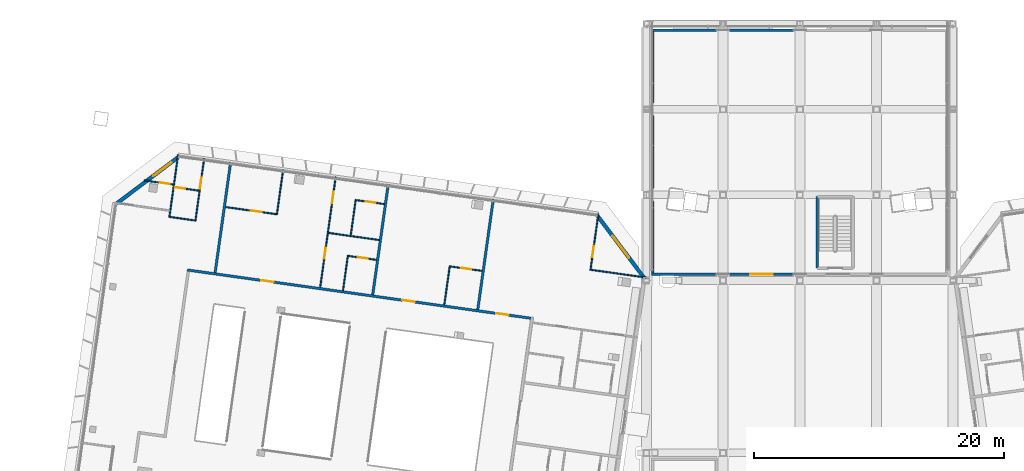
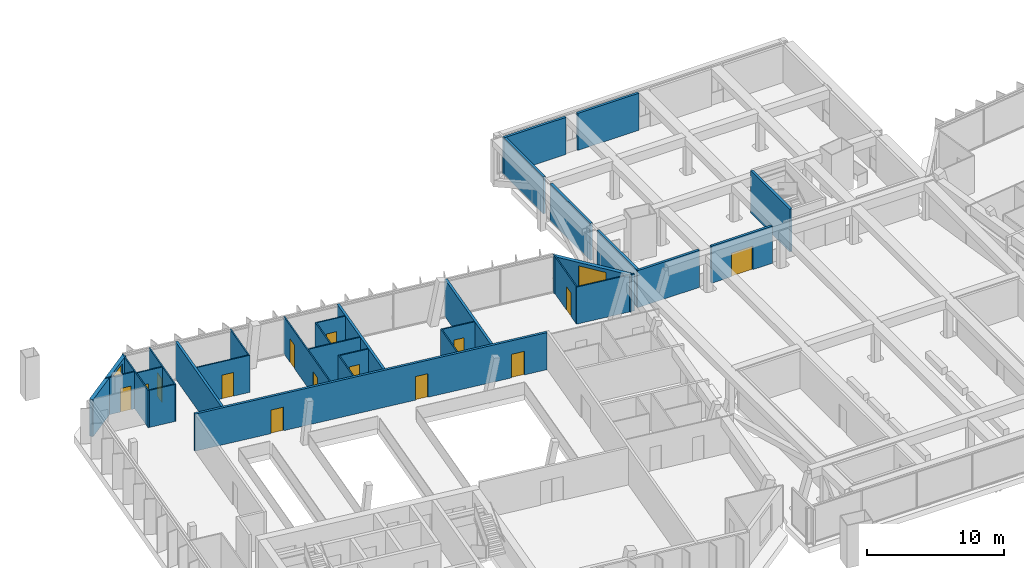
# One storey, part 17 of 25: 31 walls, 14 doors, 2 windows, 16 openings.
"""IFC4 building model written with IfcOpenShell, lengths in metres."""

from ifc_helpers import new_model, si_unit, direction, frame, frame_2d, origin, place, context, subcontext, project, spatial, rectangle, extrude, material, layer, layer_set, type_object, element, fill, save


model = new_model("IFC4")

# Units and contexts
model_context = context("Model", 3, precision=1e-05, world=origin(), true_north=direction((0.0, 1.0)))
body_context = subcontext(model_context, "Body", "Model", "MODEL_VIEW")
ifc_project = project(units=[si_unit("LENGTHUNIT", "METRE"), si_unit("AREAUNIT", "SQUARE_METRE"), si_unit("VOLUMEUNIT", "CUBIC_METRE"), si_unit("PLANEANGLEUNIT", "RADIAN"), si_unit("MASSUNIT", "GRAM", prefix="KILO")], contexts=[model_context])

# Site, building, storey
site_placement = place(None, origin())
site = spatial("IfcSite", under=ifc_project, at=site_placement, CompositionType="ELEMENT")
building_placement = place(site_placement, origin())
building = spatial("IfcBuilding", under=site, at=building_placement, Name="Mirante Cascada Hotel Towers", CompositionType="ELEMENT")
storey_placement = place(building_placement, frame((0.0, 0.0, 266.0)))
storey = spatial("IfcBuildingStorey", under=building, at=storey_placement, Name="L64", CompositionType="ELEMENT", Elevation=266.0)

# Wall, openings, doors
ifc_material_1 = material(Name="Fire-rated plasterboard on metal studs")
ifc_layer_1 = layer(ifc_material_1, 0.2)
ifc_layer_set_1 = layer_set([ifc_layer_1], Name="Compartment wall 200 EI 120")
wall_type_1 = type_object("IfcWallType", Name="Compartment wall 200 EI 120", PredefinedType="PARTITIONING", material=ifc_layer_set_1)
wall_1_placement = place(storey_placement, frame((-48.9088, 10.7557, 0.0), z_axis=(0.0, 0.0, 1.0), x_axis=(0.9902681, -0.1391729, 0.0)))
wall_1 = element("IfcWall", 1, at=wall_1_placement, inside=storey, type_object=wall_type_1, Name="Wall 1-L64-14", PredefinedType="PARTITIONING", context=body_context, shape_type="SweptSolid", body=[
    extrude(rectangle(XDim=27.7001, YDim=0.2, at=frame_2d((13.85, 0.0))), origin(), (0.0, 0.0, 1.0), 3.3),
])
opening_1_placement = place(wall_1_placement, frame((24.907, 0.0, 0.0)))
opening_1 = element("IfcOpeningElement", 2, at=opening_1_placement, cuts=wall_1, Name="Opening D1-L64-06", PredefinedType="OPENING", context=body_context, shape_type="SweptSolid", body=[
    extrude(rectangle(XDim=1.0, YDim=2.1, at=frame_2d((0.5, 1.05))), frame((0.0, 0.1, 0.0), z_axis=(0.0, -1.0, 0.0), x_axis=(1.0, 0.0, 0.0)), (0.0, 0.0, 1.0), 0.2),
])
opening_2_placement = place(wall_1_placement, frame((17.3283, 0.0, 0.0)))
opening_2 = element("IfcOpeningElement", 3, at=opening_2_placement, cuts=wall_1, Name="Opening D1-L64-07", PredefinedType="OPENING", context=body_context, shape_type="SweptSolid", body=[
    extrude(rectangle(XDim=1.0, YDim=2.1, at=frame_2d((0.5, 1.05))), frame((0.0, 0.1, 0.0), z_axis=(0.0, -1.0, 0.0), x_axis=(1.0, 0.0, 0.0)), (0.0, 0.0, 1.0), 0.2),
])
opening_3_placement = place(wall_1_placement, frame((5.9714, 0.0, 0.0)))
opening_3 = element("IfcOpeningElement", 4, at=opening_3_placement, cuts=wall_1, Name="Opening D1-L64-08", PredefinedType="OPENING", context=body_context, shape_type="SweptSolid", body=[
    extrude(rectangle(XDim=1.0, YDim=2.1, at=frame_2d((0.5, 1.05))), frame((0.0, 0.1, 0.0), z_axis=(0.0, -1.0, 0.0), x_axis=(1.0, 0.0, 0.0)), (0.0, 0.0, 1.0), 0.2),
])
ifc_material_2 = material(Name="Fire-rated timber door leaf", Category="wood")
door_type_1 = type_object("IfcDoorType", Name="Entrance door DG1 1000x2100 EI 60", OperationType="SINGLE_SWING_LEFT", PredefinedType="DOOR", material=ifc_material_2)
door_1_placement = place(opening_1_placement, origin())
door_1 = element("IfcDoor", 5, at=door_1_placement, inside=storey, type_object=door_type_1, Name="Door D1-L64-06", OperationType="SINGLE_SWING_LEFT", OverallHeight=2.1, OverallWidth=1.0, PredefinedType="DOOR", context=body_context, shape_type="SweptSolid", body=[
    extrude(rectangle(XDim=1.0, YDim=2.1, at=frame_2d((0.5, 1.05))), frame((0.0, 0.025, 0.0), z_axis=(0.0, -1.0, 0.0), x_axis=(1.0, 0.0, 0.0)), (0.0, 0.0, 1.0), 0.05),
])
fill(opening_1, door_1)
door_2_placement = place(opening_2_placement, origin())
door_2 = element("IfcDoor", 6, at=door_2_placement, inside=storey, type_object=door_type_1, Name="Door D1-L64-07", OperationType="SINGLE_SWING_LEFT", OverallHeight=2.1, OverallWidth=1.0, PredefinedType="DOOR", context=body_context, shape_type="SweptSolid", body=[
    extrude(rectangle(XDim=1.0, YDim=2.1, at=frame_2d((0.5, 1.05))), frame((0.0, 0.025, 0.0), z_axis=(0.0, -1.0, 0.0), x_axis=(1.0, 0.0, 0.0)), (0.0, 0.0, 1.0), 0.05),
])
fill(opening_2, door_2)
door_3_placement = place(opening_3_placement, origin())
door_3 = element("IfcDoor", 7, at=door_3_placement, inside=storey, type_object=door_type_1, Name="Door D1-L64-08", OperationType="SINGLE_SWING_LEFT", OverallHeight=2.1, OverallWidth=1.0, PredefinedType="DOOR", context=body_context, shape_type="SweptSolid", body=[
    extrude(rectangle(XDim=1.0, YDim=2.1, at=frame_2d((0.5, 1.05))), frame((0.0, 0.025, 0.0), z_axis=(0.0, -1.0, 0.0), x_axis=(1.0, 0.0, 0.0)), (0.0, 0.0, 1.0), 0.05),
])
fill(opening_3, door_3)

# Walls
for number, where, z_axis, x_axis, name in (
    (8, (-24.4702, 16.4096, 0.0), (0.0, 0.0, 1.0), (-0.1391684, -0.9902687, 0.0), "Wall 1-L64-34"),
    (9, (-32.859, 17.5885, 0.0), (0.0, 0.0, 1.0), (-0.1391794, -0.9902672, 0.0), "Wall 1-L64-36"),
    (10, (-46.6809, 10.5436, 0.0), (0.0, 0.0, 1.0), (0.1391684, 0.9902687, 0.0), "Wall 1-L64-41"),
):
    element("IfcWall", number, at=place(storey_placement, frame(where, z_axis=z_axis, x_axis=x_axis)), inside=storey, type_object=wall_type_1, Name=name, PredefinedType="PARTITIONING", context=body_context, shape_type="SweptSolid", body=[
        extrude(rectangle(XDim=8.9, YDim=0.2, at=frame_2d((4.45, 0.0))), origin(), (0.0, 0.0, 1.0), 3.3),
    ])
ifc_material_3 = material(Name="Masonry block", Category="masonry")
ifc_layer_2 = layer(ifc_material_3, 0.2)
ifc_layer_set_2 = layer_set([ifc_layer_2], Name="Deck room wall 200 block EI 120")
wall_type_2 = type_object("IfcWallType", Name="Deck room wall 200 block EI 120", PredefinedType="PARTITIONING", material=ifc_layer_set_2)
for number, where, z_axis, x_axis, name in (
    (11, (-11.85, 10.41, 0.0), (0.0, 0.0, 1.0), (1.0, 0.0, 0.0), "Sky park fire wall L64 W17"),
    (12, (-11.85, 29.91, 0.0), (0.0, 0.0, 1.0), (1.0, 0.0, 0.0), "Sky park fire wall L64 W18"),
):
    element("IfcWall", number, at=place(storey_placement, frame(where, z_axis=z_axis, x_axis=x_axis)), inside=storey, type_object=wall_type_2, Name=name, PredefinedType="PARTITIONING", context=body_context, shape_type="SweptSolid", body=[
        extrude(rectangle(XDim=5.22, YDim=0.2, at=frame_2d((2.61, 0.0))), origin(), (0.0, 0.0, 1.0), 3.3),
    ])

# Wall, opening, door
wall_2_placement = place(storey_placement, frame((-5.63, 10.41, 0.0), z_axis=(0.0, 0.0, 1.0), x_axis=(1.0, 0.0, 0.0)))
wall_2 = element("IfcWall", 13, at=wall_2_placement, inside=storey, type_object=wall_type_2, Name="Sky park fire wall L64 W19", PredefinedType="PARTITIONING", context=body_context, shape_type="SweptSolid", body=[
    extrude(rectangle(XDim=5.13, YDim=0.2, at=frame_2d((2.565, 0.0))), origin(), (0.0, 0.0, 1.0), 3.3),
])
opening_4_placement = place(wall_2_placement, frame((1.665, 0.0, 0.0)))
opening_4 = element("IfcOpeningElement", 14, at=opening_4_placement, cuts=wall_2, Name="Opening DD-64-05", PredefinedType="OPENING", context=body_context, shape_type="SweptSolid", body=[
    extrude(rectangle(XDim=1.8, YDim=2.1, at=frame_2d((0.9, 1.05))), frame((0.0, 0.1, 0.0), z_axis=(0.0, -1.0, 0.0), x_axis=(1.0, 0.0, 0.0)), (0.0, 0.0, 1.0), 0.2),
])
ifc_material_4 = material(Name="Hollow metal fire door leaf")
door_type_2 = type_object("IfcDoorType", Name="Double fire door 1800x2100 FD60 self-closing", OperationType="DOUBLE_DOOR_SINGLE_SWING", PredefinedType="DOOR", material=ifc_material_4)
door_4_placement = place(opening_4_placement, frame((1.8, 0.0, 0.0), z_axis=(0.0, 0.0, 1.0), x_axis=(-1.0, 0.0, 0.0)))
door_4 = element("IfcDoor", 15, at=door_4_placement, inside=storey, type_object=door_type_2, Name="Fire door sky park L64 d5", OperationType="DOUBLE_DOOR_SINGLE_SWING", OverallHeight=2.1, OverallWidth=1.8, PredefinedType="DOOR", context=body_context, shape_type="SweptSolid", body=[
    extrude(rectangle(XDim=0.895, YDim=2.1, at=frame_2d((0.4475, 1.05))), frame((0.0, 0.025, 0.0), z_axis=(0.0, -1.0, 0.0), x_axis=(1.0, 0.0, 0.0)), (0.0, 0.0, 1.0), 0.05),
    extrude(rectangle(XDim=0.895, YDim=2.1, at=frame_2d((1.3525, 1.05))), frame((0.0, 0.025, 0.0), z_axis=(0.0, -1.0, 0.0), x_axis=(1.0, 0.0, 0.0)), (0.0, 0.0, 1.0), 0.05),
])
fill(opening_4, door_4)

# Walls
wall_3_placement = place(storey_placement, frame((-5.63, 29.91, 0.0), z_axis=(0.0, 0.0, 1.0), x_axis=(1.0, 0.0, 0.0)))
element("IfcWall", 16, at=wall_3_placement, inside=storey, type_object=wall_type_2, Name="Sky park fire wall L64 W20", PredefinedType="PARTITIONING", context=body_context, shape_type="SweptSolid", body=[
    extrude(rectangle(XDim=5.13, YDim=0.2, at=frame_2d((2.565, 0.0))), origin(), (0.0, 0.0, 1.0), 3.3),
])
wall_4_placement = place(storey_placement, frame((-11.75, 10.51, 0.0), z_axis=(0.0, 0.0, 1.0), x_axis=(0.0, 1.0, 0.0)))
element("IfcWall", 17, at=wall_4_placement, inside=storey, type_object=wall_type_2, Name="Sky park fire wall L64 W25", PredefinedType="PARTITIONING", context=body_context, shape_type="SweptSolid", body=[
    extrude(rectangle(XDim=5.74, YDim=0.2, at=frame_2d((2.87, 0.0))), origin(), (0.0, 0.0, 1.0), 3.3),
])
wall_5_placement = place(storey_placement, frame((-11.75, 17.25, 0.0), z_axis=(0.0, 0.0, 1.0), x_axis=(0.0, 1.0, 0.0)))
element("IfcWall", 18, at=wall_5_placement, inside=storey, type_object=wall_type_2, Name="Sky park fire wall L64 W27", PredefinedType="PARTITIONING", context=body_context, shape_type="SweptSolid", body=[
    extrude(rectangle(XDim=5.83, YDim=0.2, at=frame_2d((2.915, 0.0))), origin(), (0.0, 0.0, 1.0), 3.3),
])
wall_6_placement = place(storey_placement, frame((-11.75, 24.08, 0.0), z_axis=(0.0, 0.0, 1.0), x_axis=(0.0, 1.0, 0.0)))
element("IfcWall", 19, at=wall_6_placement, inside=storey, type_object=wall_type_2, Name="Sky park fire wall L64 W29", PredefinedType="PARTITIONING", context=body_context, shape_type="SweptSolid", body=[
    extrude(rectangle(XDim=5.73, YDim=0.2, at=frame_2d((2.865, 0.0))), origin(), (0.0, 0.0, 1.0), 3.3),
])

# Wall, opening, door
ifc_material_5 = material(Name="Plasterboard on metal studs")
ifc_layer_3 = layer(ifc_material_5, 0.1)
ifc_layer_set_3 = layer_set([ifc_layer_3], Name="Partition 100")
wall_type_3 = type_object("IfcWallType", Name="Partition 100", PredefinedType="PARTITIONING", material=ifc_layer_set_3)
wall_7_placement = place(storey_placement, frame((-33.807, 11.5618, 0.0), z_axis=(0.0, 0.0, 1.0), x_axis=(-0.9902643, 0.1391997, 0.0)))
wall_7 = element("IfcWall", 20, at=wall_7_placement, inside=storey, type_object=wall_type_3, Name="Wall 1-L64-15", PredefinedType="PARTITIONING", context=body_context, shape_type="SweptSolid", body=[
    extrude(rectangle(XDim=2.25, YDim=0.1, at=frame_2d((1.125, 0.0))), origin(), (0.0, 0.0, 1.0), 3.3),
])
opening_5_placement = place(wall_7_placement, frame((0.7, 0.0, 0.0)))
opening_5 = element("IfcOpeningElement", 21, at=opening_5_placement, cuts=wall_7, Name="Opening D1-L64-09", PredefinedType="OPENING", context=body_context, shape_type="SweptSolid", body=[
    extrude(rectangle(XDim=0.8, YDim=2.1, at=frame_2d((0.4, 1.05))), frame((0.0, 0.05, 0.0), z_axis=(0.0, -1.0, 0.0), x_axis=(1.0, 0.0, 0.0)), (0.0, 0.0, 1.0), 0.1),
])
ifc_material_6 = material(Name="Timber door leaf", Category="wood")
door_type_3 = type_object("IfcDoorType", Name="Bathroom door DG4 800x2100", OperationType="SINGLE_SWING_LEFT", PredefinedType="DOOR", material=ifc_material_6)
door_5_placement = place(opening_5_placement, origin())
door_5 = element("IfcDoor", 22, at=door_5_placement, inside=storey, type_object=door_type_3, Name="Door D1-L64-09", OperationType="SINGLE_SWING_LEFT", OverallHeight=2.1, OverallWidth=0.8, PredefinedType="DOOR", context=body_context, shape_type="SweptSolid", body=[
    extrude(rectangle(XDim=0.8, YDim=2.1, at=frame_2d((0.4, 1.05))), frame((0.0, 0.025, 0.0), z_axis=(0.0, -1.0, 0.0), x_axis=(1.0, 0.0, 0.0)), (0.0, 0.0, 1.0), 0.05),
])
fill(opening_5, door_5)

wall_8_placement = place(storey_placement, frame((-27.9016, 11.0348, 0.0), z_axis=(0.0, 0.0, 1.0), x_axis=(0.9902677, -0.1391755, 0.0)))
wall_8 = element("IfcWall", 23, at=wall_8_placement, inside=storey, type_object=wall_type_3, Name="Wall 1-L64-16", PredefinedType="PARTITIONING", context=body_context, shape_type="SweptSolid", body=[
    extrude(rectangle(XDim=2.55, YDim=0.1, at=frame_2d((1.275, 0.0))), origin(), (0.0, 0.0, 1.0), 3.3),
])
opening_6_placement = place(wall_8_placement, frame((0.9, 0.0, 0.0)))
opening_6 = element("IfcOpeningElement", 24, at=opening_6_placement, cuts=wall_8, Name="Opening D1-L64-10", PredefinedType="OPENING", context=body_context, shape_type="SweptSolid", body=[
    extrude(rectangle(XDim=0.8, YDim=2.1, at=frame_2d((0.4, 1.05))), frame((0.0, 0.05, 0.0), z_axis=(0.0, -1.0, 0.0), x_axis=(1.0, 0.0, 0.0)), (0.0, 0.0, 1.0), 0.1),
])
door_6_placement = place(opening_6_placement, origin())
door_6 = element("IfcDoor", 25, at=door_6_placement, inside=storey, type_object=door_type_3, Name="Door D1-L64-10", OperationType="SINGLE_SWING_LEFT", OverallHeight=2.1, OverallWidth=0.8, PredefinedType="DOOR", context=body_context, shape_type="SweptSolid", body=[
    extrude(rectangle(XDim=0.8, YDim=2.1, at=frame_2d((0.4, 1.05))), frame((0.0, 0.025, 0.0), z_axis=(0.0, -1.0, 0.0), x_axis=(1.0, 0.0, 0.0)), (0.0, 0.0, 1.0), 0.05),
])
fill(opening_6, door_6)

# Walls
wall_9_placement = place(storey_placement, frame((-48.3026, 14.7098, 0.0), z_axis=(0.0, 0.0, 1.0), x_axis=(-0.990264, 0.139202, 0.0)))
element("IfcWall", 26, at=wall_9_placement, inside=storey, type_object=wall_type_3, Name="Wall 1-L64-17", PredefinedType="PARTITIONING", context=body_context, shape_type="SweptSolid", body=[
    extrude(rectangle(XDim=2.0, YDim=0.1, at=frame_2d((1.0, 0.0))), origin(), (0.0, 0.0, 1.0), 3.3),
])
wall_10_placement = place(storey_placement, frame((-16.7571, 10.7813, 0.0), z_axis=(0.0, 0.0, 1.0), x_axis=(0.9902691, -0.1391656, 0.0)))
element("IfcWall", 27, at=wall_10_placement, inside=storey, type_object=wall_type_3, Name="Wall 1-L64-18", PredefinedType="PARTITIONING", context=body_context, shape_type="SweptSolid", body=[
    extrude(rectangle(XDim=4.55, YDim=0.1, at=frame_2d((2.275, 0.0))), origin(), (0.0, 0.0, 1.0), 3.3),
])
wall_11_placement = place(storey_placement, frame((-33.5843, 13.1462, 0.0), z_axis=(0.0, 0.0, 1.0), x_axis=(-0.9902652, 0.1391937, 0.0)))
element("IfcWall", 28, at=wall_11_placement, inside=storey, type_object=wall_type_3, Name="Wall 1-L64-19", PredefinedType="PARTITIONING", context=body_context, shape_type="SweptSolid", body=[
    extrude(rectangle(XDim=4.0857, YDim=0.1, at=frame_2d((2.0428, 0.0))), origin(), (0.0, 0.0, 1.0), 3.3),
])

# Wall, opening, door
wall_12_placement = place(storey_placement, frame((-41.6994, 15.1956, 0.0), z_axis=(0.0, 0.0, 1.0), x_axis=(-0.990269, 0.1391666, 0.0)))
wall_12 = element("IfcWall", 29, at=wall_12_placement, inside=storey, type_object=wall_type_3, Name="Wall 1-L64-21", PredefinedType="PARTITIONING", context=body_context, shape_type="SweptSolid", body=[
    extrude(rectangle(XDim=4.1856, YDim=0.1, at=frame_2d((2.0928, 0.0))), origin(), (0.0, 0.0, 1.0), 3.3),
])
opening_7_placement = place(wall_12_placement, frame((1.2736, 0.0, 0.0)))
opening_7 = element("IfcOpeningElement", 30, at=opening_7_placement, cuts=wall_12, Name="Opening D1-L64-12", PredefinedType="OPENING", context=body_context, shape_type="SweptSolid", body=[
    extrude(rectangle(XDim=0.9, YDim=2.1, at=frame_2d((0.45, 1.05))), frame((0.0, 0.05, 0.0), z_axis=(0.0, -1.0, 0.0), x_axis=(1.0, 0.0, 0.0)), (0.0, 0.0, 1.0), 0.1),
])
ifc_material_7 = material(Name="Timber door leaf", Category="wood")
door_type_4 = type_object("IfcDoorType", Name="Room door DG3 900x2100", OperationType="SINGLE_SWING_LEFT", PredefinedType="DOOR", material=ifc_material_7)
door_7_placement = place(opening_7_placement, origin())
door_7 = element("IfcDoor", 31, at=door_7_placement, inside=storey, type_object=door_type_4, Name="Door D1-L64-12", OperationType="SINGLE_SWING_LEFT", OverallHeight=2.1, OverallWidth=0.9, PredefinedType="DOOR", context=body_context, shape_type="SweptSolid", body=[
    extrude(rectangle(XDim=0.9, YDim=2.1, at=frame_2d((0.45, 1.05))), frame((0.0, 0.025, 0.0), z_axis=(0.0, -1.0, 0.0), x_axis=(1.0, 0.0, 0.0)), (0.0, 0.0, 1.0), 0.05),
])
fill(opening_7, door_7)

wall_13_placement = place(storey_placement, frame((-49.9491, 17.3648, 0.0), z_axis=(0.0, 0.0, 1.0), x_axis=(0.9902719, -0.139146, 0.0)))
wall_13 = element("IfcWall", 32, at=wall_13_placement, inside=storey, type_object=wall_type_3, Name="Wall 1-L64-22", PredefinedType="PARTITIONING", context=body_context, shape_type="SweptSolid", body=[
    extrude(rectangle(XDim=2.0001, YDim=0.1, at=frame_2d((1.0001, 0.0))), origin(), (0.0, 0.0, 1.0), 3.3),
])
opening_8_placement = place(wall_13_placement, frame((0.1, 0.0, 0.0)))
opening_8 = element("IfcOpeningElement", 33, at=opening_8_placement, cuts=wall_13, Name="Opening D1-L64-13", PredefinedType="OPENING", context=body_context, shape_type="SweptSolid", body=[
    extrude(rectangle(XDim=0.8, YDim=2.1, at=frame_2d((0.4, 1.05))), frame((0.0, 0.05, 0.0), z_axis=(0.0, -1.0, 0.0), x_axis=(1.0, 0.0, 0.0)), (0.0, 0.0, 1.0), 0.1),
])
door_8_placement = place(opening_8_placement, origin())
door_8 = element("IfcDoor", 34, at=door_8_placement, inside=storey, type_object=door_type_3, Name="Door D1-L64-13", OperationType="SINGLE_SWING_LEFT", OverallHeight=2.1, OverallWidth=0.8, PredefinedType="DOOR", context=body_context, shape_type="SweptSolid", body=[
    extrude(rectangle(XDim=0.8, YDim=2.1, at=frame_2d((0.4, 1.05))), frame((0.0, 0.025, 0.0), z_axis=(0.0, -1.0, 0.0), x_axis=(1.0, 0.0, 0.0)), (0.0, 0.0, 1.0), 0.05),
])
fill(opening_8, door_8)

wall_14_placement = place(storey_placement, frame((-50.0203, 17.5768, 0.0), z_axis=(0.0, 0.0, 1.0), x_axis=(-0.9902653, 0.1391929, 0.0)))
wall_14 = element("IfcWall", 35, at=wall_14_placement, inside=storey, type_object=wall_type_3, Name="Wall 1-L64-23", PredefinedType="PARTITIONING", context=body_context, shape_type="SweptSolid", body=[
    extrude(rectangle(XDim=2.35, YDim=0.1, at=frame_2d((1.175, 0.0))), origin(), (0.0, 0.0, 1.0), 3.3),
])
opening_9_placement = place(wall_14_placement, frame((0.3, 0.0, 0.0)))
opening_9 = element("IfcOpeningElement", 36, at=opening_9_placement, cuts=wall_14, Name="Opening D1-L64-14", PredefinedType="OPENING", context=body_context, shape_type="SweptSolid", body=[
    extrude(rectangle(XDim=0.8, YDim=2.1, at=frame_2d((0.4, 1.05))), frame((0.0, 0.05, 0.0), z_axis=(0.0, -1.0, 0.0), x_axis=(1.0, 0.0, 0.0)), (0.0, 0.0, 1.0), 0.1),
])
door_9_placement = place(opening_9_placement, origin())
door_9 = element("IfcDoor", 37, at=door_9_placement, inside=storey, type_object=door_type_3, Name="Door D1-L64-14", OperationType="SINGLE_SWING_LEFT", OverallHeight=2.1, OverallWidth=0.8, PredefinedType="DOOR", context=body_context, shape_type="SweptSolid", body=[
    extrude(rectangle(XDim=0.8, YDim=2.1, at=frame_2d((0.4, 1.05))), frame((0.0, 0.025, 0.0), z_axis=(0.0, -1.0, 0.0), x_axis=(1.0, 0.0, 0.0)), (0.0, 0.0, 1.0), 0.05),
])
fill(opening_9, door_9)

wall_15_placement = place(storey_placement, frame((-35.4088, 16.3312, 0.0), z_axis=(0.0, 0.0, 1.0), x_axis=(0.9902643, -0.1391997, 0.0)))
wall_15 = element("IfcWall", 38, at=wall_15_placement, inside=storey, type_object=wall_type_3, Name="Wall 1-L64-24", PredefinedType="PARTITIONING", context=body_context, shape_type="SweptSolid", body=[
    extrude(rectangle(XDim=2.25, YDim=0.1, at=frame_2d((1.125, 0.0))), origin(), (0.0, 0.0, 1.0), 3.3),
])
opening_10_placement = place(wall_15_placement, frame((0.75, 0.0, 0.0)))
opening_10 = element("IfcOpeningElement", 39, at=opening_10_placement, cuts=wall_15, Name="Opening D1-L64-15", PredefinedType="OPENING", context=body_context, shape_type="SweptSolid", body=[
    extrude(rectangle(XDim=0.8, YDim=2.1, at=frame_2d((0.4, 1.05))), frame((0.0, 0.05, 0.0), z_axis=(0.0, -1.0, 0.0), x_axis=(1.0, 0.0, 0.0)), (0.0, 0.0, 1.0), 0.1),
])
door_10_placement = place(opening_10_placement, frame((0.8, 0.0, 0.0), z_axis=(0.0, 0.0, 1.0), x_axis=(-1.0, 0.0, 0.0)))
door_10 = element("IfcDoor", 40, at=door_10_placement, inside=storey, type_object=door_type_3, Name="Door D1-L64-15", OperationType="SINGLE_SWING_RIGHT", OverallHeight=2.1, OverallWidth=0.8, PredefinedType="DOOR", context=body_context, shape_type="SweptSolid", body=[
    extrude(rectangle(XDim=0.8, YDim=2.1, at=frame_2d((0.4, 1.05))), frame((0.0, 0.025, 0.0), z_axis=(0.0, -1.0, 0.0), x_axis=(1.0, 0.0, 0.0)), (0.0, 0.0, 1.0), 0.05),
])
fill(opening_10, door_10)

wall_16_placement = place(storey_placement, frame((-16.0813, 15.2306, 0.0), z_axis=(0.0, 0.0, 1.0), x_axis=(-0.1391684, -0.9902687, 0.0)))
wall_16 = element("IfcWall", 41, at=wall_16_placement, inside=storey, type_object=wall_type_3, Name="Wall 1-L64-30", PredefinedType="PARTITIONING", context=body_context, shape_type="SweptSolid", body=[
    extrude(rectangle(XDim=4.45, YDim=0.1, at=frame_2d((2.225, 0.0))), origin(), (0.0, 0.0, 1.0), 3.3),
])
opening_11_placement = place(wall_16_placement, frame((2.5833, 0.0, 0.0)))
opening_11 = element("IfcOpeningElement", 42, at=opening_11_placement, cuts=wall_16, Name="Opening D1-L64-19", PredefinedType="OPENING", context=body_context, shape_type="SweptSolid", body=[
    extrude(rectangle(XDim=0.9, YDim=2.1, at=frame_2d((0.45, 1.05))), frame((0.0, 0.05, 0.0), z_axis=(0.0, -1.0, 0.0), x_axis=(1.0, 0.0, 0.0)), (0.0, 0.0, 1.0), 0.1),
])
door_11_placement = place(opening_11_placement, frame((0.9, 0.0, 0.0), z_axis=(0.0, 0.0, 1.0), x_axis=(-1.0, 0.0, 0.0)))
door_11 = element("IfcDoor", 43, at=door_11_placement, inside=storey, type_object=door_type_4, Name="Door D1-L64-19", OperationType="SINGLE_SWING_RIGHT", OverallHeight=2.1, OverallWidth=0.9, PredefinedType="DOOR", context=body_context, shape_type="SweptSolid", body=[
    extrude(rectangle(XDim=0.9, YDim=2.1, at=frame_2d((0.45, 1.05))), frame((0.0, 0.025, 0.0), z_axis=(0.0, -1.0, 0.0), x_axis=(1.0, 0.0, 0.0)), (0.0, 0.0, 1.0), 0.05),
])
fill(opening_11, door_11)

# Walls
wall_17_placement = place(storey_placement, frame((-28.3825, 7.9719, 0.0), z_axis=(0.0, 0.0, 1.0), x_axis=(0.1391721, 0.9902682, 0.0)))
element("IfcWall", 44, at=wall_17_placement, inside=storey, type_object=wall_type_3, Name="Wall 1-L64-35", PredefinedType="PARTITIONING", context=body_context, shape_type="SweptSolid", body=[
    extrude(rectangle(XDim=3.1501, YDim=0.1, at=frame_2d((1.575, 0.0))), origin(), (0.0, 0.0, 1.0), 3.3),
])
wall_18_placement = place(storey_placement, frame((-36.4743, 9.1092, 0.0), z_axis=(0.0, 0.0, 1.0), x_axis=(0.1391613, 0.9902697, 0.0)))
element("IfcWall", 45, at=wall_18_placement, inside=storey, type_object=wall_type_3, Name="Wall 1-L64-37", PredefinedType="PARTITIONING", context=body_context, shape_type="SweptSolid", body=[
    extrude(rectangle(XDim=2.8499, YDim=0.1, at=frame_2d((1.425, 0.0))), origin(), (0.0, 0.0, 1.0), 3.3),
])
wall_19_placement = place(storey_placement, frame((-35.4514, 16.3876, 0.0), z_axis=(0.0, 0.0, 1.0), x_axis=(-0.1391761, -0.9902676, 0.0)))
element("IfcWall", 46, at=wall_19_placement, inside=storey, type_object=wall_type_3, Name="Wall 1-L64-38", PredefinedType="PARTITIONING", context=body_context, shape_type="SweptSolid", body=[
    extrude(rectangle(XDim=2.8999, YDim=0.1, at=frame_2d((1.45, 0.0))), origin(), (0.0, 0.0, 1.0), 3.3),
])

# Wall, openings, doors
wall_20_placement = place(storey_placement, frame((-38.292, 9.3646, 0.0), z_axis=(0.0, 0.0, 1.0), x_axis=(0.1391684, 0.9902687, 0.0)))
wall_20 = element("IfcWall", 47, at=wall_20_placement, inside=storey, type_object=wall_type_3, Name="Wall 1-L64-39", PredefinedType="PARTITIONING", context=body_context, shape_type="SweptSolid", body=[
    extrude(rectangle(XDim=8.9, YDim=0.1, at=frame_2d((4.45, 0.0))), origin(), (0.0, 0.0, 1.0), 3.3),
])
opening_12_placement = place(wall_20_placement, frame((2.3, 0.0, 0.0)))
opening_12 = element("IfcOpeningElement", 48, at=opening_12_placement, cuts=wall_20, Name="Opening D1-L64-24", PredefinedType="OPENING", context=body_context, shape_type="SweptSolid", body=[
    extrude(rectangle(XDim=0.9, YDim=2.1, at=frame_2d((0.45, 1.05))), frame((0.0, 0.05, 0.0), z_axis=(0.0, -1.0, 0.0), x_axis=(1.0, 0.0, 0.0)), (0.0, 0.0, 1.0), 0.1),
])
opening_13_placement = place(wall_20_placement, frame((6.8, 0.0, 0.0)))
opening_13 = element("IfcOpeningElement", 49, at=opening_13_placement, cuts=wall_20, Name="Opening D1-L64-25", PredefinedType="OPENING", context=body_context, shape_type="SweptSolid", body=[
    extrude(rectangle(XDim=0.9, YDim=2.1, at=frame_2d((0.45, 1.05))), frame((0.0, 0.05, 0.0), z_axis=(0.0, -1.0, 0.0), x_axis=(1.0, 0.0, 0.0)), (0.0, 0.0, 1.0), 0.1),
])
door_12_placement = place(opening_12_placement, origin())
door_12 = element("IfcDoor", 50, at=door_12_placement, inside=storey, type_object=door_type_4, Name="Door D1-L64-24", OperationType="SINGLE_SWING_LEFT", OverallHeight=2.1, OverallWidth=0.9, PredefinedType="DOOR", context=body_context, shape_type="SweptSolid", body=[
    extrude(rectangle(XDim=0.9, YDim=2.1, at=frame_2d((0.45, 1.05))), frame((0.0, 0.025, 0.0), z_axis=(0.0, -1.0, 0.0), x_axis=(1.0, 0.0, 0.0)), (0.0, 0.0, 1.0), 0.05),
])
fill(opening_12, door_12)
door_13_placement = place(opening_13_placement, origin())
door_13 = element("IfcDoor", 51, at=door_13_placement, inside=storey, type_object=door_type_4, Name="Door D1-L64-25", OperationType="SINGLE_SWING_LEFT", OverallHeight=2.1, OverallWidth=0.9, PredefinedType="DOOR", context=body_context, shape_type="SweptSolid", body=[
    extrude(rectangle(XDim=0.9, YDim=2.1, at=frame_2d((0.45, 1.05))), frame((0.0, 0.025, 0.0), z_axis=(0.0, -1.0, 0.0), x_axis=(1.0, 0.0, 0.0)), (0.0, 0.0, 1.0), 0.05),
])
fill(opening_13, door_13)

# Wall
wall_21_placement = place(storey_placement, frame((-41.2479, 18.7675, 0.0), z_axis=(0.0, 0.0, 1.0), x_axis=(-0.1391573, -0.9902703, 0.0)))
element("IfcWall", 52, at=wall_21_placement, inside=storey, type_object=wall_type_3, Name="Wall 1-L64-40", PredefinedType="PARTITIONING", context=body_context, shape_type="SweptSolid", body=[
    extrude(rectangle(XDim=3.5499, YDim=0.1, at=frame_2d((1.775, 0.0))), origin(), (0.0, 0.0, 1.0), 3.3),
])

# Wall, opening, door
wall_22_placement = place(storey_placement, frame((-48.26, 14.6534, 0.0), z_axis=(0.0, 0.0, 1.0), x_axis=(0.1391699, 0.9902685, 0.0)))
wall_22 = element("IfcWall", 53, at=wall_22_placement, inside=storey, type_object=wall_type_3, Name="Wall 1-L64-43", PredefinedType="PARTITIONING", context=body_context, shape_type="SweptSolid", body=[
    extrude(rectangle(XDim=5.0499, YDim=0.1, at=frame_2d((2.525, 0.0))), origin(), (0.0, 0.0, 1.0), 3.3),
])
opening_14_placement = place(wall_22_placement, frame((2.6, 0.0, 0.0)))
opening_14 = element("IfcOpeningElement", 54, at=opening_14_placement, cuts=wall_22, Name="Opening D1-L64-27", PredefinedType="OPENING", context=body_context, shape_type="SweptSolid", body=[
    extrude(rectangle(XDim=0.9, YDim=2.1, at=frame_2d((0.45, 1.05))), frame((0.0, 0.05, 0.0), z_axis=(0.0, -1.0, 0.0), x_axis=(1.0, 0.0, 0.0)), (0.0, 0.0, 1.0), 0.1),
])
door_14_placement = place(opening_14_placement, origin())
door_14 = element("IfcDoor", 55, at=door_14_placement, inside=storey, type_object=door_type_4, Name="Door D1-L64-27", OperationType="SINGLE_SWING_LEFT", OverallHeight=2.1, OverallWidth=0.9, PredefinedType="DOOR", context=body_context, shape_type="SweptSolid", body=[
    extrude(rectangle(XDim=0.9, YDim=2.1, at=frame_2d((0.45, 1.05))), frame((0.0, 0.025, 0.0), z_axis=(0.0, -1.0, 0.0), x_axis=(1.0, 0.0, 0.0)), (0.0, 0.0, 1.0), 0.05),
])
fill(opening_14, door_14)

# Wall
wall_23_placement = place(storey_placement, frame((-50.3396, 14.9456, 0.0), z_axis=(0.0, 0.0, 1.0), x_axis=(0.1391866, 0.9902662, 0.0)))
element("IfcWall", 56, at=wall_23_placement, inside=storey, type_object=wall_type_3, Name="Wall 1-L64-45", PredefinedType="PARTITIONING", context=body_context, shape_type="SweptSolid", body=[
    extrude(rectangle(XDim=5.0501, YDim=0.1, at=frame_2d((2.525, 0.0))), origin(), (0.0, 0.0, 1.0), 3.3),
])

# Wall, opening, window
ifc_material_8 = material(Name="Precast concrete C40/50", Category="concrete")
ifc_layer_4 = layer(ifc_material_8, 0.3)
ifc_layer_set_4 = layer_set([ifc_layer_4], Name="Precast concrete C40/50 cladding wall 300")
wall_type_4 = type_object("IfcWallType", Name="Precast concrete C40/50 cladding wall 300", PredefinedType="STANDARD", material=ifc_layer_set_4)
wall_24_placement = place(storey_placement, frame((-54.5298, 16.0715, 0.0), z_axis=(0.0, 0.0, 1.0), x_axis=(0.7986362, 0.6018141, 0.0)))
wall_24 = element("IfcWall", 57, at=wall_24_placement, inside=storey, type_object=wall_type_4, Name="Corner cladding wall T1 L64 outer front", PredefinedType="STANDARD", context=body_context, shape_type="SweptSolid", body=[
    extrude(rectangle(XDim=6.1157, YDim=0.3, at=frame_2d((3.0578, 0.0))), origin(), (0.0, 0.0, 1.0), 3.3),
])
opening_15_placement = place(wall_24_placement, frame((3.6428, 0.0, 0.6)))
opening_15 = element("IfcOpeningElement", 58, at=opening_15_placement, cuts=wall_24, Name="Opening W1-64-06", PredefinedType="OPENING", context=body_context, shape_type="SweptSolid", body=[
    extrude(rectangle(XDim=1.8, YDim=2.4, at=frame_2d((0.9, 1.2))), frame((0.0, 0.15, 0.0), z_axis=(0.0, -1.0, 0.0), x_axis=(1.0, 0.0, 0.0)), (0.0, 0.0, 1.0), 0.3),
])
ifc_material_9 = material(Name="Aluminium frame with clear double glazing", Category="aluminium")
window_type_1 = type_object("IfcWindowType", Name="Corner suite window 1800x2400", PartitioningType="DOUBLE_PANEL_VERTICAL", PredefinedType="WINDOW", material=ifc_material_9)
window_1_placement = place(opening_15_placement, origin())
window_1 = element("IfcWindow", 59, at=window_1_placement, inside=storey, type_object=window_type_1, Name="Window W1-64-06", OverallHeight=2.4, OverallWidth=1.8, PartitioningType="SINGLE_PANEL", PredefinedType="WINDOW", context=body_context, shape_type="SweptSolid", body=[
    extrude(rectangle(XDim=1.8, YDim=2.4, at=frame_2d((0.9, 1.2))), frame((0.0, 0.03, 0.0), z_axis=(0.0, -1.0, 0.0), x_axis=(1.0, 0.0, 0.0)), (0.0, 0.0, 1.0), 0.06),
])
fill(opening_15, window_1)

wall_25_placement = place(storey_placement, frame((-16.1264, 15.0412, 0.0), z_axis=(0.0, 0.0, 1.0), x_axis=(0.6018141, -0.7986362, 0.0)))
wall_25 = element("IfcWall", 60, at=wall_25_placement, inside=storey, type_object=wall_type_4, Name="Corner cladding wall T1 L64 front inner", PredefinedType="STANDARD", context=body_context, shape_type="SweptSolid", body=[
    extrude(rectangle(XDim=6.1157, YDim=0.3, at=frame_2d((3.0578, 0.0))), origin(), (0.0, 0.0, 1.0), 3.3),
])
opening_16_placement = place(wall_25_placement, frame((1.9578, 0.0, 0.6)))
opening_16 = element("IfcOpeningElement", 61, at=opening_16_placement, cuts=wall_25, Name="Opening W1-64-07", PredefinedType="OPENING", context=body_context, shape_type="SweptSolid", body=[
    extrude(rectangle(XDim=2.2, YDim=2.4, at=frame_2d((1.1, 1.2))), frame((0.0, 0.15, 0.0), z_axis=(0.0, -1.0, 0.0), x_axis=(1.0, 0.0, 0.0)), (0.0, 0.0, 1.0), 0.3),
])
ifc_material_10 = material(Name="Aluminium frame with clear double glazing", Category="aluminium")
window_type_2 = type_object("IfcWindowType", Name="Corner suite window 2200x2400", PartitioningType="DOUBLE_PANEL_VERTICAL", PredefinedType="WINDOW", material=ifc_material_10)
window_2_placement = place(opening_16_placement, origin())
window_2 = element("IfcWindow", 62, at=window_2_placement, inside=storey, type_object=window_type_2, Name="Window W1-64-07", OverallHeight=2.4, OverallWidth=2.2, PartitioningType="SINGLE_PANEL", PredefinedType="WINDOW", context=body_context, shape_type="SweptSolid", body=[
    extrude(rectangle(XDim=2.2, YDim=2.4, at=frame_2d((1.1, 1.2))), frame((0.0, 0.03, 0.0), z_axis=(0.0, -1.0, 0.0), x_axis=(1.0, 0.0, 0.0)), (0.0, 0.0, 1.0), 0.06),
])
fill(opening_16, window_2)

# Wall
ifc_material_11 = material(Name="Concrete C50/60", Category="concrete")
ifc_layer_5 = layer(ifc_material_11, 0.2)
ifc_layer_set_5 = layer_set([ifc_layer_5], Name="Roof garden stair wall 200 RC C50/60")
wall_type_5 = type_object("IfcWallType", Name="Roof garden stair wall 200 RC C50/60", PredefinedType="SHEAR", material=ifc_layer_set_5)
wall_26_placement = place(storey_placement, frame((1.4, 16.61, 0.0), z_axis=(0.0, 0.0, 1.0), x_axis=(0.0, -1.0, 0.0)))
element("IfcWall", 63, at=wall_26_placement, inside=storey, type_object=wall_type_5, Name="Sky park fire wall L64 RG4", PredefinedType="SHEAR", context=body_context, shape_type="SweptSolid", body=[
    extrude(rectangle(XDim=5.7, YDim=0.2, at=frame_2d((2.85, 0.0))), origin(), (0.0, 0.0, 1.0), 3.8),
])

save(model, "model.ifc")
